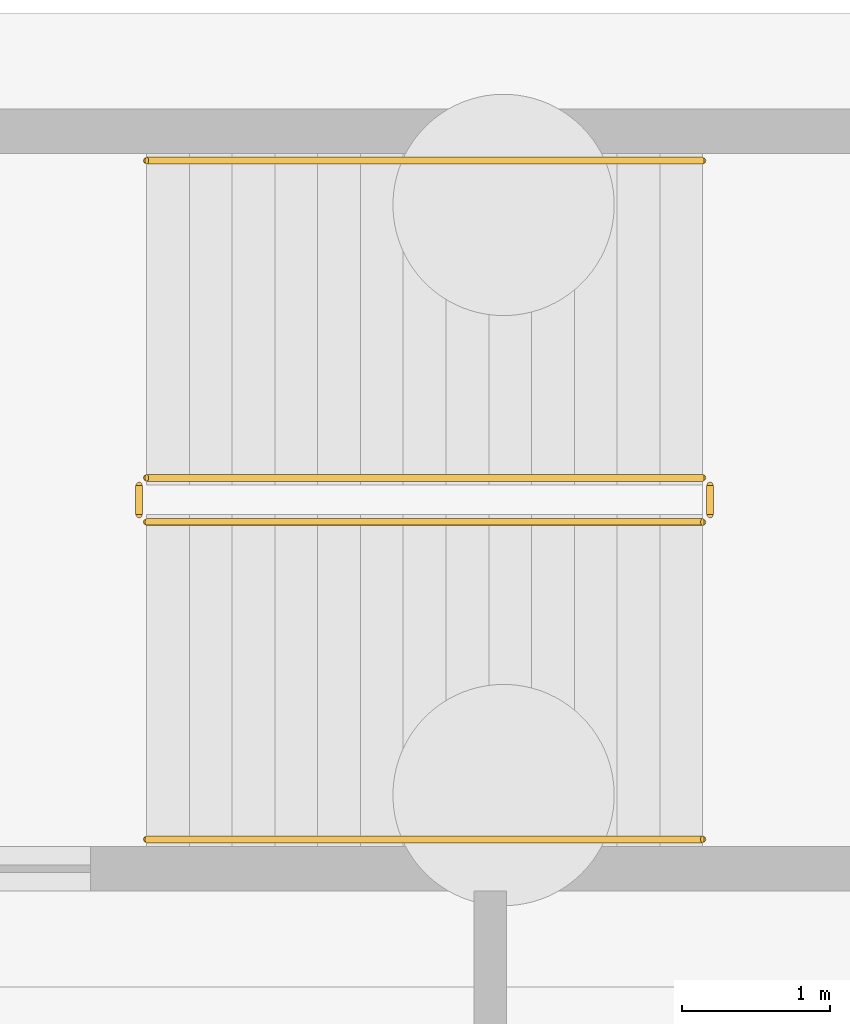
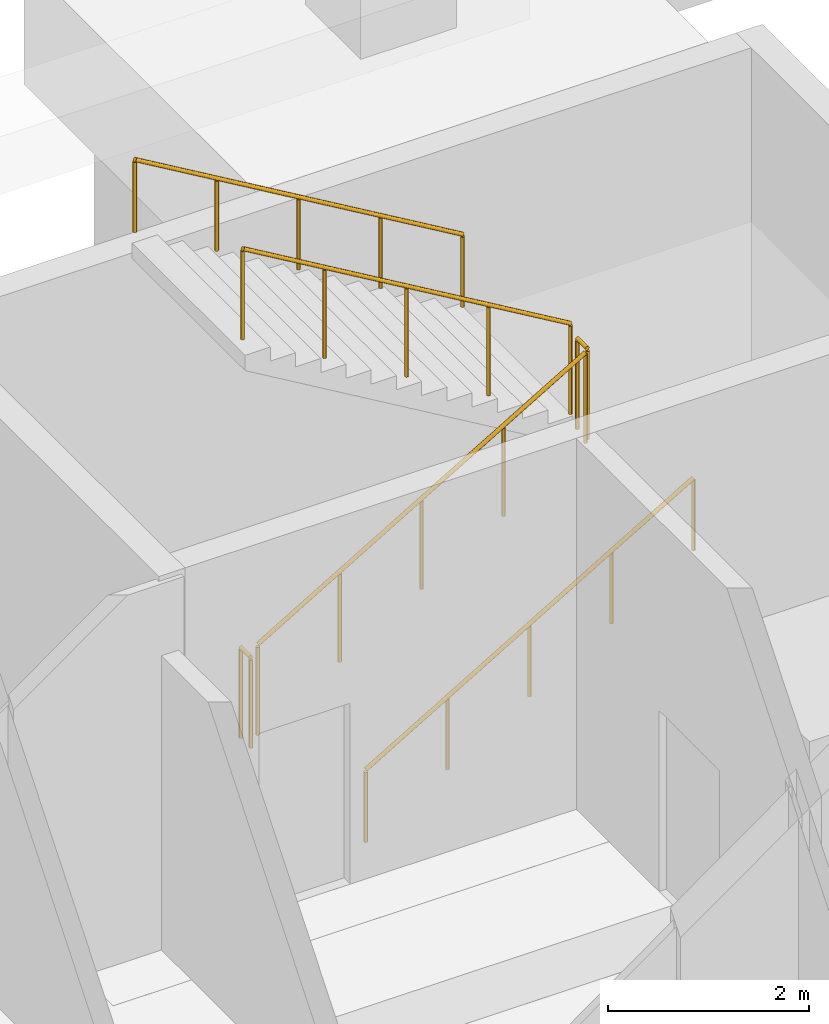
# One storey, part 33 of 34: 6 railings.
"""IFC4 building model written with IfcOpenShell, lengths in metres."""

from ifc_helpers import new_model, si_unit, direction, frame, origin, origin_2d, place, context, subcontext, project, spatial, circle, extrude, material, type_object, element, save


model = new_model("IFC4")

# Units and contexts
model_context = context("Model", 3, precision=1e-05, world=origin(), true_north=direction((0.0, 1.0)))
body_context = subcontext(model_context, "Body", "Model", "MODEL_VIEW")
ifc_project = project(units=[si_unit("LENGTHUNIT", "METRE"), si_unit("AREAUNIT", "SQUARE_METRE"), si_unit("VOLUMEUNIT", "CUBIC_METRE"), si_unit("PLANEANGLEUNIT", "RADIAN"), si_unit("MASSUNIT", "GRAM", prefix="KILO")], contexts=[model_context])

# Site, building, storey
site_placement = place(None, origin())
site = spatial("IfcSite", under=ifc_project, at=site_placement, CompositionType="ELEMENT")
building_placement = place(site_placement, origin())
building = spatial("IfcBuilding", under=site, at=building_placement, Name="Larkvane Passage Sports Hall", CompositionType="ELEMENT")
storey_placement = place(building_placement, frame((0.0, 0.0, -4.800048828125)))
storey = spatial("IfcBuildingStorey", under=building, at=storey_placement, Name="B01", CompositionType="ELEMENT", Elevation=-4.800048828125)

# Railings
ifc_material_1 = material(Name="Steel S355JR", Category="steel")
railing_type_1 = type_object("IfcRailingType", Name="RL-GUARD-1120", PredefinedType="GUARDRAIL", material=ifc_material_1)
railing_1_placement = place(storey_placement, frame((86.179931640625, 88.800048828125, 0.17138671875)))
element("IfcRailing", 1, at=railing_1_placement, inside=storey, type_object=railing_type_1, Name="B01 ST-03 stair guard 1", PredefinedType="GUARDRAIL", context=body_context, shape_type="SweptSolid", body=[
    extrude(circle(Radius=0.02392578125, at=origin_2d()), frame((0.001708984375, 0.0, 1.09716796875), z_axis=(0.860824410104, 0.0, 0.508902087802), x_axis=(0.0, 1.0, 0.0)), (0.0, 0.0, 1.0), 4.37548828125),
    extrude(circle(Radius=0.02099609375, at=origin_2d()), origin(), (0.0, 0.0, 1.0), 1.072021484375),
    extrude(circle(Radius=0.02099609375, at=origin_2d()), frame((0.9423828125, 0.0, 0.55712890625)), (0.0, 0.0, 1.0), 1.072021484375),
    extrude(circle(Radius=0.02099609375, at=origin_2d()), frame((1.885009765625, 0.0, 1.1142578125)), (0.0, 0.0, 1.0), 1.072021484375),
    extrude(circle(Radius=0.02099609375, at=origin_2d()), frame((2.82763671875, 0.0, 1.671630859375)), (0.0, 0.0, 1.0), 1.072021484375),
    extrude(circle(Radius=0.02099609375, at=origin_2d()), frame((3.77001953125, 0.0, 2.228759765625)), (0.0, 0.0, 1.0), 1.072021484375),
])
railing_2_placement = place(storey_placement, frame((90.0, 88.85009765625, 2.400146484375)))
element("IfcRailing", 2, at=railing_2_placement, inside=storey, type_object=railing_type_1, Name="B01 ST-03 stair guard 2", PredefinedType="GUARDRAIL", context=body_context, shape_type="SweptSolid", body=[
    extrude(circle(Radius=0.02392578125, at=origin_2d()), frame((0.0, 0.001953125, 1.09619140625), z_axis=(0.0, 1.0, 0.0), x_axis=(-1.0, 0.0, 0.0)), (0.0, 0.0, 1.0), 0.196044921875),
    extrude(circle(Radius=0.02099609375, at=origin_2d()), origin(), (0.0, 0.0, 1.0), 1.072021484375),
    extrude(circle(Radius=0.02099609375, at=origin_2d()), frame((0.0, 0.199951171875, 0.0)), (0.0, 0.0, 1.0), 1.072021484375),
])
railing_3_placement = place(storey_placement, frame((89.949951171875, 89.10009765625, 2.571533203125)))
element("IfcRailing", 3, at=railing_3_placement, inside=storey, type_object=railing_type_1, Name="B01 ST-03 stair guard 3", PredefinedType="GUARDRAIL", context=body_context, shape_type="SweptSolid", body=[
    extrude(circle(Radius=0.02392578125, at=origin_2d()), frame((-0.001708984375, 0.0, 1.09716796875), z_axis=(-0.860848830602, 0.0, 0.508860777473), x_axis=(0.0, -1.0, 0.0)), (0.0, 0.0, 1.0), 4.37548828125),
    extrude(circle(Radius=0.02099609375, at=origin_2d()), origin(), (0.0, 0.0, 1.0), 1.072021484375),
    extrude(circle(Radius=0.02099609375, at=origin_2d()), frame((-0.9423828125, 0.0, 0.55712890625)), (0.0, 0.0, 1.0), 1.072021484375),
    extrude(circle(Radius=0.02099609375, at=origin_2d()), frame((-1.885009765625, 0.0, 1.1142578125)), (0.0, 0.0, 1.0), 1.072021484375),
    extrude(circle(Radius=0.02099609375, at=origin_2d()), frame((-2.82763671875, 0.0, 1.67138671875)), (0.0, 0.0, 1.0), 1.072021484375),
    extrude(circle(Radius=0.02099609375, at=origin_2d()), frame((-3.77001953125, 0.0, 2.228515625)), (0.0, 0.0, 1.0), 1.072021484375),
])
railing_4_placement = place(storey_placement, frame((86.1298828125, 88.85009765625, 0.0)))
element("IfcRailing", 4, at=railing_4_placement, inside=storey, type_object=railing_type_1, Name="B01 ST-03 stair guard 4", PredefinedType="GUARDRAIL", context=body_context, shape_type="SweptSolid", body=[
    extrude(circle(Radius=0.02392578125, at=origin_2d()), frame((0.0, 0.001953125, 1.09619140625), z_axis=(0.0, 1.0, 0.0), x_axis=(-1.0, 0.0, 0.0)), (0.0, 0.0, 1.0), 0.196044921875),
    extrude(circle(Radius=0.02099609375, at=origin_2d()), origin(), (0.0, 0.0, 1.0), 1.072021484375),
    extrude(circle(Radius=0.02099609375, at=origin_2d()), frame((0.0, 0.199951171875, 0.0)), (0.0, 0.0, 1.0), 1.072021484375),
])
ifc_material_2 = material(Name="Stainless steel S355JR", Category="steel")
railing_type_2 = type_object("IfcRailingType", Name="RL-HAND-920", PredefinedType="HANDRAIL", material=ifc_material_2)
railing_5_placement = place(storey_placement, frame((86.179931640625, 86.64990234375, 0.17138671875)))
element("IfcRailing", 5, at=railing_5_placement, inside=storey, type_object=railing_type_2, Name="B01 ST-03 stair handrail 1", PredefinedType="HANDRAIL", context=body_context, shape_type="SweptSolid", body=[
    extrude(circle(Radius=0.02392578125, at=origin_2d()), frame((0.001708984375, 0.0, 0.876953125), z_axis=(0.860824410104, 0.0, 0.508902087802), x_axis=(0.0, 1.0, 0.0)), (0.0, 0.0, 1.0), 4.37548828125),
    extrude(circle(Radius=0.02099609375, at=origin_2d()), origin(), (0.0, 0.0, 1.0), 0.851806640625),
    extrude(circle(Radius=0.02099609375, at=origin_2d()), frame((0.9423828125, 0.0, 0.55712890625)), (0.0, 0.0, 1.0), 0.851806640625),
    extrude(circle(Radius=0.02099609375, at=origin_2d()), frame((1.885009765625, 0.0, 1.1142578125)), (0.0, 0.0, 1.0), 0.851806640625),
    extrude(circle(Radius=0.02099609375, at=origin_2d()), frame((2.82763671875, 0.0, 1.671630859375)), (0.0, 0.0, 1.0), 0.851806640625),
    extrude(circle(Radius=0.02099609375, at=origin_2d()), frame((3.77001953125, 0.0, 2.228759765625)), (0.0, 0.0, 1.0), 0.851806640625),
])
railing_6_placement = place(storey_placement, frame((89.949951171875, 91.25, 2.571533203125)))
element("IfcRailing", 6, at=railing_6_placement, inside=storey, type_object=railing_type_2, Name="B01 ST-03 stair handrail 2", PredefinedType="HANDRAIL", context=body_context, shape_type="SweptSolid", body=[
    extrude(circle(Radius=0.02392578125, at=origin_2d()), frame((-0.001708984375, 0.0, 0.876953125), z_axis=(-0.860848830602, 0.0, 0.508860777473), x_axis=(0.0, -1.0, 0.0)), (0.0, 0.0, 1.0), 4.37548828125),
    extrude(circle(Radius=0.02099609375, at=origin_2d()), origin(), (0.0, 0.0, 1.0), 0.851806640625),
    extrude(circle(Radius=0.02099609375, at=origin_2d()), frame((-0.9423828125, 0.0, 0.55712890625)), (0.0, 0.0, 1.0), 0.851806640625),
    extrude(circle(Radius=0.02099609375, at=origin_2d()), frame((-1.885009765625, 0.0, 1.1142578125)), (0.0, 0.0, 1.0), 0.851806640625),
    extrude(circle(Radius=0.02099609375, at=origin_2d()), frame((-2.82763671875, 0.0, 1.67138671875)), (0.0, 0.0, 1.0), 0.851806640625),
    extrude(circle(Radius=0.02099609375, at=origin_2d()), frame((-3.77001953125, 0.0, 2.228515625)), (0.0, 0.0, 1.0), 0.851806640625),
])

save(model, "model.ifc")
